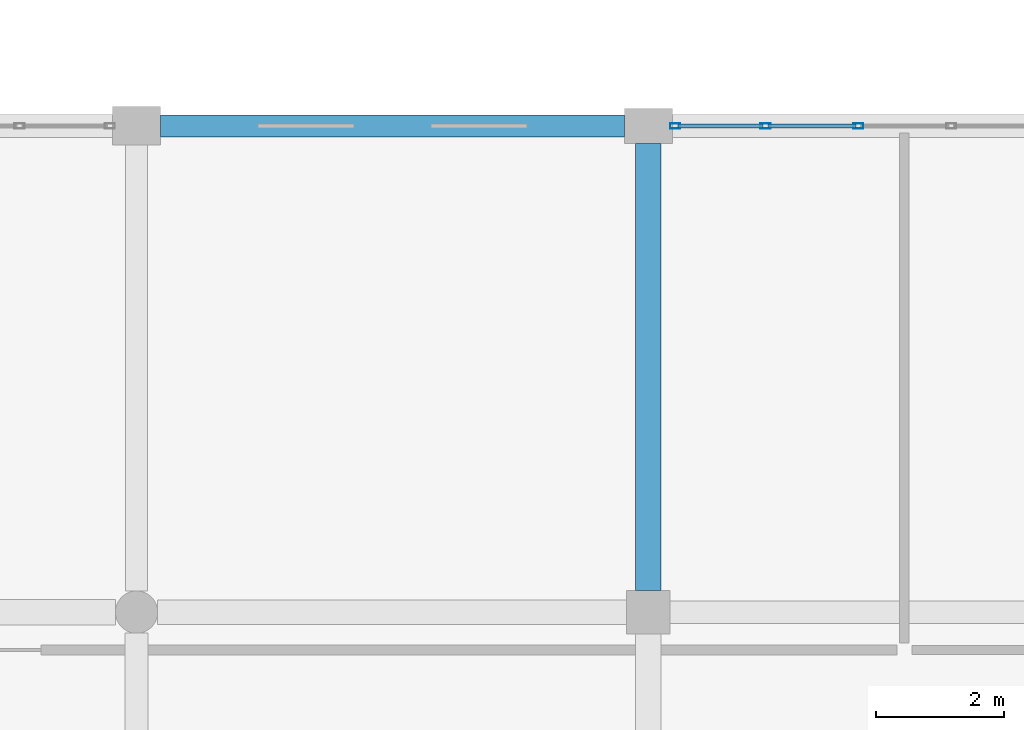
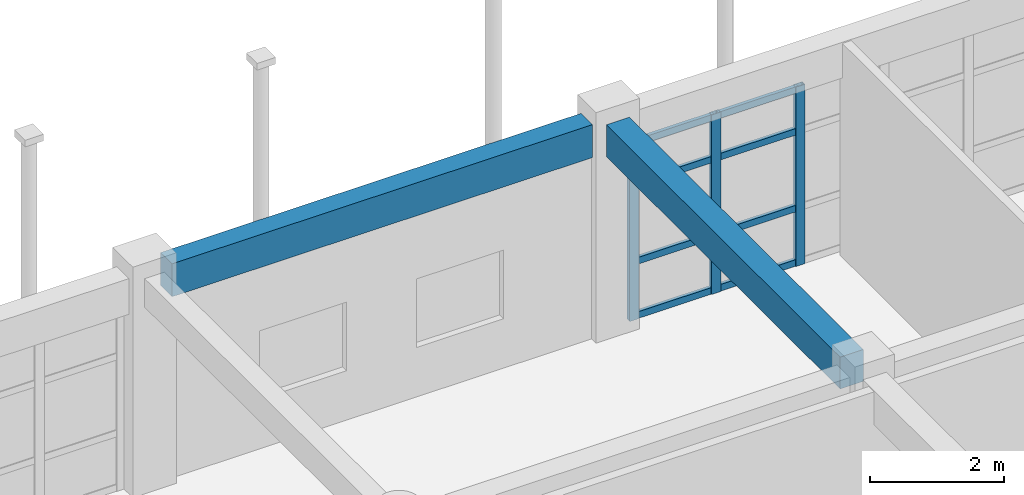
# One storey, part 73 of 195: 11 members, 2 beams, 1 element without a shape of its own.
"""IFC4 building model written with IfcOpenShell, lengths in metres."""

import ifcopenshell
import ifcopenshell.guid

model = None  # the IFC model being written
_history = None  # IfcOwnerHistory: only IFC2X3 demands one
_inside = {}  # id of a spatial element -> (the spatial element, [elements in it])
_under = {}  # id of a project, library or spatial element -> (it, [spatial elements below it])
_declared = {}  # id of a project -> (the project, [libraries it declares])
_typed = {}  # id of a type object -> (the type object, [elements of that type])
_made_of = {}  # id of a material, layer set ... -> (it, [elements and type objects made of it])


def new_model(schema):
    """Start an empty IFC model of exactly this schema.

    Asked for "IFC4X3", IfcOpenShell would pick the latest addendum, in which some entities
    have other attributes; the version numbers below select the first issue.
    IFC2X3 requires an IfcOwnerHistory on every rooted entity: one is made here for all.
    """
    global model, _history
    if schema == "IFC4X3":
        model = ifcopenshell.file(schema_version=(4, 3, 0, 0))
    else:
        model = ifcopenshell.file(schema=schema)
    _inside.clear()
    _under.clear()
    _declared.clear()
    _typed.clear()
    _made_of.clear()
    _history = None
    if model.schema == "IFC2X3":
        org = make("IfcOrganization", Name="unknown")
        user = make(
            "IfcPersonAndOrganization",
            ThePerson=make("IfcPerson", FamilyName="unknown"),
            TheOrganization=org,
        )
        app = make(
            "IfcApplication",
            ApplicationDeveloper=org,
            Version="unknown",
            ApplicationFullName="unknown",
            ApplicationIdentifier="unknown",
        )
        _history = make(
            "IfcOwnerHistory",
            OwningUser=user,
            OwningApplication=app,
            ChangeAction="ADDED",
            CreationDate=0,
        )
    return model


def make(cls, **values):
    """One entity of the class cls with the attributes given. An attribute that is None is left unset."""
    return model.create_entity(
        cls, **{name: value for name, value in values.items() if value is not None}
    )


def rooted(cls, **values):
    """An entity with a GlobalId (a new one), such as an element, a storey or a relation."""
    return make(cls, GlobalId=ifcopenshell.guid.new(), OwnerHistory=_history, **values)


def si_unit(unit_type, name, prefix=None):
    """IfcSIUnit, for example si_unit("LENGTHUNIT", "METRE", prefix="MILLI")."""
    return make("IfcSIUnit", UnitType=unit_type, Prefix=prefix, Name=name)


def assignment(units):
    """IfcUnitAssignment: the units of a project."""
    return None if units is None else make("IfcUnitAssignment", Units=units)


def point(xyz):
    """IfcCartesianPoint."""
    return None if xyz is None else make("IfcCartesianPoint", Coordinates=xyz)


def direction(xyz):
    """IfcDirection."""
    return None if xyz is None else make("IfcDirection", DirectionRatios=xyz)


def frame(location, z_axis=None, x_axis=None):
    """IfcAxis2Placement3D, a coordinate frame: its origin and axes. An axis left out is left unset."""
    return make(
        "IfcAxis2Placement3D",
        Location=point(location),
        Axis=direction(z_axis),
        RefDirection=direction(x_axis),
    )


def frame_2d(location, x_axis=None):
    """IfcAxis2Placement2D, a coordinate frame in the plane: its origin and x axis."""
    return make(
        "IfcAxis2Placement2D", Location=point(location), RefDirection=direction(x_axis)
    )


def origin():
    """The frame at (0, 0, 0) with its axes left unset."""
    return frame((0.0, 0.0, 0.0))


def origin_2d():
    """The frame at (0, 0) in the plane with its x axis left unset."""
    return frame_2d((0.0, 0.0))


def place(relative_to, where):
    """IfcLocalPlacement: puts the frame where relative to a parent placement (None: the world)."""
    return make(
        "IfcLocalPlacement", PlacementRelTo=relative_to, RelativePlacement=where
    )


def context(
    kind, dimensions, precision=None, world=None, true_north=None, identifier=None
):
    """IfcGeometricRepresentationContext, for example the 3D "Model" context."""
    return make(
        "IfcGeometricRepresentationContext",
        ContextIdentifier=identifier,
        ContextType=kind,
        CoordinateSpaceDimension=dimensions,
        Precision=precision,
        WorldCoordinateSystem=world,
        TrueNorth=true_north,
    )


def subcontext(parent, identifier, kind, view, scale=None):
    """IfcGeometricRepresentationSubContext, for example "Body" below "Model"."""
    return make(
        "IfcGeometricRepresentationSubContext",
        ContextIdentifier=identifier,
        ContextType=kind,
        ParentContext=parent,
        TargetScale=scale,
        TargetView=view,
    )


def project(units=None, contexts=None):
    """IfcProject with its units and contexts."""
    return rooted(
        "IfcProject",
        Name="project",
        RepresentationContexts=contexts,
        UnitsInContext=assignment(units),
    )


def spatial(cls, under=None, at=None, **own):
    """A site, building, storey or space (cls), placed at a placement, below another one or the project."""
    s = rooted(cls, ObjectPlacement=at, **own)
    if under is not None:
        _under.setdefault(under.id(), (under, []))[1].append(s)
    return s


def profile(cls, at=None, kind="AREA", **sizes):
    """A parametric profile (cls). Its sizes go by their IFC names, for example OverallWidth=200.0."""
    return make(cls, ProfileType=kind, Position=at, **sizes)


def rectangle(**sizes):
    """IfcRectangleProfileDef."""
    return profile("IfcRectangleProfileDef", **sizes)


def hollow_rectangle(**sizes):
    """IfcRectangleHollowProfileDef."""
    return profile("IfcRectangleHollowProfileDef", **sizes)


def extrude(swept, where, along, depth):
    """IfcExtrudedAreaSolid: the profile swept, set in the frame where, extruded along a direction by depth."""
    return make(
        "IfcExtrudedAreaSolid",
        SweptArea=swept,
        Position=where,
        ExtrudedDirection=direction(along),
        Depth=depth,
    )


def shape(context_of_items, identifier, shape_type, items):
    """IfcShapeRepresentation: the items that make up one representation, for example the "Body"."""
    return make(
        "IfcShapeRepresentation",
        ContextOfItems=context_of_items,
        RepresentationIdentifier=identifier,
        RepresentationType=shape_type,
        Items=items,
    )


def material(Name=None, Category=None):
    """IfcMaterial."""
    return make("IfcMaterial", Name=Name, Category=Category)


def material_profile(
    of_material, cross_section, Name=None, Category=None, Priority=None
):
    """IfcMaterialProfile: a cross section and its material."""
    return make(
        "IfcMaterialProfile",
        Name=Name,
        Material=of_material,
        Profile=cross_section,
        Priority=Priority,
        Category=Category,
    )


def profile_set(profiles, Name=None, composite=None):
    """IfcMaterialProfileSet."""
    return make(
        "IfcMaterialProfileSet",
        Name=Name,
        MaterialProfiles=profiles,
        CompositeProfile=composite,
    )


def made_of(thing, what):
    """Note that an element or type object is made of a material, layer set ...; save() writes the relation."""
    if what is not None:
        _made_of.setdefault(what.id(), (what, []))[1].append(thing)
    return thing


def type_object(cls, material=None, **own):
    """A type object (cls), such as IfcWallType, which elements share."""
    return made_of(rooted(cls, **own), material)


def element(
    cls,
    number,
    at=None,
    inside=None,
    cuts=None,
    type_object=None,
    material=None,
    context=None,
    identifier="Body",
    shape_type=None,
    held_by="IfcProductDefinitionShape",
    body=None,
    shapes=None,
    **own,
):
    """One element of the class cls, such as IfcWall. Its Tag is "e" and its number.

    at: its placement. inside: the storey or other place that contains it. cuts: it is an
    opening in that element (IfcRelVoidsElement). A single representation is given by context,
    identifier, shape_type and body (its items); several are given by shapes. held_by: the class
    of the entity that holds the representations. save() writes the other relations.
    """
    e = rooted(cls, Tag="e%d" % number, ObjectPlacement=at, **own)
    if body is not None:
        shapes = [shape(context, identifier, shape_type, body)]
    if shapes is not None:
        e.Representation = make(held_by, Representations=shapes)
    if inside is not None:
        _inside.setdefault(inside.id(), (inside, []))[1].append(e)
    if cuts is not None:
        rooted(
            "IfcRelVoidsElement", RelatingBuildingElement=cuts, RelatedOpeningElement=e
        )
    if type_object is not None:
        _typed.setdefault(type_object.id(), (type_object, []))[1].append(e)
    return made_of(e, material)


def aggregate(whole, parts):
    """IfcRelAggregates: a whole, such as a stair, and the parts it consists of."""
    return rooted("IfcRelAggregates", RelatingObject=whole, RelatedObjects=parts)


def save(model, path):
    """Write the relations noted so far, then the file.

    IfcRelAggregates (storeys below a building ...), IfcRelContainedInSpatialStructure (elements
    in a storey), IfcRelDefinesByType, IfcRelAssociatesMaterial and IfcRelDeclares: one each for
    every whole, place, type object, material and project.
    """
    for whole, parts in _under.values():
        aggregate(whole, parts)
    for where, things in _inside.values():
        rooted(
            "IfcRelContainedInSpatialStructure",
            RelatedElements=things,
            RelatingStructure=where,
        )
    for kind, things in _typed.values():
        rooted("IfcRelDefinesByType", RelatedObjects=things, RelatingType=kind)
    for what, things in _made_of.values():
        rooted("IfcRelAssociatesMaterial", RelatedObjects=things, RelatingMaterial=what)
    for by, libraries in _declared.values():
        rooted("IfcRelDeclares", RelatingContext=by, RelatedDefinitions=libraries)
    model.write(path)


model = new_model("IFC4")

# Units and contexts
model_context = context("Model", 3, precision=1e-05, world=origin(), true_north=direction((0.0, 1.0)))
body_context = subcontext(model_context, "Body", "Model", "MODEL_VIEW")
ifc_project = project(units=[si_unit("LENGTHUNIT", "METRE"), si_unit("AREAUNIT", "SQUARE_METRE"), si_unit("VOLUMEUNIT", "CUBIC_METRE"), si_unit("PLANEANGLEUNIT", "RADIAN"), si_unit("MASSUNIT", "GRAM", prefix="KILO")], contexts=[model_context])

# Site, building, storey
site_placement = place(None, origin())
site = spatial("IfcSite", under=ifc_project, at=site_placement, CompositionType="ELEMENT")
building_placement = place(site_placement, origin())
building = spatial("IfcBuilding", under=site, at=building_placement, Name="Kharva Crest Polytechnic", CompositionType="ELEMENT")
storey_placement = place(building_placement, frame((0.0, 0.0, 9.0)))
storey = spatial("IfcBuildingStorey", under=building, at=storey_placement, Name="L02", CompositionType="ELEMENT", Elevation=9.0)

# Beam
ifc_material_1 = material(Name="Concrete C35/45", Category="concrete")
ifc_material_profile_1 = material_profile(ifc_material_1, rectangle(XDim=0.39990234375, YDim=0.580078125, at=origin_2d()), Name="RECT 400 X 580")
ifc_profile_set_1 = profile_set([ifc_material_profile_1], Name="Concrete C35/45")
beam_type_1 = type_object("IfcBeamType", Name="BM-RC-400X580", PredefinedType="BEAM", material=ifc_profile_set_1)
beam_1_placement = place(storey_placement, frame((80.0, 15.5400390625, 3.6298828125), z_axis=(0.0, 1.0, 0.0), x_axis=(-1.0, 0.0, 0.0)))
element("IfcBeam", 1, at=beam_1_placement, inside=storey, type_object=beam_type_1, Name="L02 Girder 11/C-D", PredefinedType="BEAM", context=body_context, shape_type="SweptSolid", body=[
    extrude(rectangle(XDim=0.39990234375, YDim=0.580078125, at=origin_2d()), origin(), (0.0, 0.0, 1.0), 6.98486328125),
])

# Curtain wall, members
ifc_material_2 = material(Name="Tempered insulated glass", Category="glass")
curtain_wall_type = type_object("IfcCurtainWallType", Name="CW-SYS-COURT", PredefinedType="USERDEFINED", material=ifc_material_2)
curtain_wall_placement = place(storey_placement, origin())
curtain_wall = element("IfcCurtainWall", 2, at=curtain_wall_placement, inside=storey, type_object=curtain_wall_type, Name="L02 Glazed Curtain Wall CW-083", ObjectType="CURTAIN WALL", PredefinedType="USERDEFINED")
ifc_material_3 = material(Name="Steel S355", Category="steel")
ifc_material_profile_2 = material_profile(ifc_material_3, hollow_rectangle(XDim=0.080078125, YDim=0.159912109375, WallThickness=0.0048828125, at=origin_2d()), Name="RHS 160X80X5.0")
ifc_profile_set_2 = profile_set([ifc_material_profile_2], Name="Steel S355")
member_type_1 = type_object("IfcMemberType", Name="CWM-RHS160X80", PredefinedType="MULLION", material=ifc_profile_set_2)
member_1_placement = place(storey_placement, frame((83.281982421875, 22.800048828125, 0.0), z_axis=(0.0, 0.0, 1.0), x_axis=(0.0, -1.0, 0.0)))
member_1 = element("IfcMember", 3, at=member_1_placement, type_object=member_type_1, Name="CW-083 mullion 4", PredefinedType="MULLION", context=body_context, shape_type="SweptSolid", body=[
    extrude(hollow_rectangle(XDim=0.080078125, YDim=0.159912109375, WallThickness=0.0048828125, at=origin_2d()), origin(), (0.0, 0.0, 1.0), 3.27001953125),
])
member_2_placement = place(storey_placement, frame((81.8310546875, 22.800048828125, 0.0), z_axis=(0.0, 0.0, 1.0), x_axis=(0.0, -1.0, 0.0)))
member_2 = element("IfcMember", 4, at=member_2_placement, type_object=member_type_1, Name="CW-083 mullion 5", PredefinedType="MULLION", context=body_context, shape_type="SweptSolid", body=[
    extrude(hollow_rectangle(XDim=0.080078125, YDim=0.159912109375, WallThickness=0.0048828125, at=origin_2d()), origin(), (0.0, 0.0, 1.0), 3.27001953125),
])
member_3_placement = place(storey_placement, frame((80.419921875, 22.800048828125, 0.0), z_axis=(0.0, 0.0, 1.0), x_axis=(0.0, -1.0, 0.0)))
member_3 = element("IfcMember", 5, at=member_3_placement, type_object=member_type_1, Name="CW-083 mullion 6", PredefinedType="MULLION", context=body_context, shape_type="SweptSolid", body=[
    extrude(hollow_rectangle(XDim=0.080078125, YDim=0.159912109375, WallThickness=0.0048828125, at=origin_2d()), origin(), (0.0, 0.0, 1.0), 3.27001953125),
])
ifc_material_profile_3 = material_profile(ifc_material_3, hollow_rectangle(XDim=0.06005859375, YDim=0.1201171875, WallThickness=0.00390625, at=origin_2d()), Name="RHS 120X60X4.0")
ifc_profile_set_3 = profile_set([ifc_material_profile_3], Name="Steel S355")
member_type_2 = type_object("IfcMemberType", Name="CWT-RHS120X60", PredefinedType="USERDEFINED", material=ifc_profile_set_3)
member_4_placement = place(storey_placement, frame((83.241943359375, 22.800048828125, 0.06005859375), z_axis=(-1.0, 0.0, 0.0), x_axis=(0.0, -1.0, 0.0)))
member_4 = element("IfcMember", 6, at=member_4_placement, type_object=member_type_2, Name="CW-083 transom 4.1", ObjectType="TRANSOM", PredefinedType="USERDEFINED", context=body_context, shape_type="SweptSolid", body=[
    extrude(hollow_rectangle(XDim=0.06005859375, YDim=0.1201171875, WallThickness=0.00390625, at=origin_2d()), origin(), (0.0, 0.0, 1.0), 1.370849609375),
])
member_5_placement = place(storey_placement, frame((83.241943359375, 22.800048828125, 1.050048828125), z_axis=(-1.0, 0.0, 0.0), x_axis=(0.0, -1.0, 0.0)))
member_5 = element("IfcMember", 7, at=member_5_placement, type_object=member_type_2, Name="CW-083 transom 4.2", ObjectType="TRANSOM", PredefinedType="USERDEFINED", context=body_context, shape_type="SweptSolid", body=[
    extrude(hollow_rectangle(XDim=0.06005859375, YDim=0.1201171875, WallThickness=0.00390625, at=origin_2d()), origin(), (0.0, 0.0, 1.0), 1.370849609375),
])
member_6_placement = place(storey_placement, frame((83.241943359375, 22.800048828125, 2.449951171875), z_axis=(-1.0, 0.0, 0.0), x_axis=(0.0, -1.0, 0.0)))
member_6 = element("IfcMember", 8, at=member_6_placement, type_object=member_type_2, Name="CW-083 transom 4.3", ObjectType="TRANSOM", PredefinedType="USERDEFINED", context=body_context, shape_type="SweptSolid", body=[
    extrude(hollow_rectangle(XDim=0.06005859375, YDim=0.1201171875, WallThickness=0.00390625, at=origin_2d()), origin(), (0.0, 0.0, 1.0), 1.370849609375),
])
member_7_placement = place(storey_placement, frame((83.241943359375, 22.800048828125, 3.2099609375), z_axis=(-1.0, 0.0, 0.0), x_axis=(0.0, -1.0, 0.0)))
member_7 = element("IfcMember", 9, at=member_7_placement, type_object=member_type_2, Name="CW-083 transom 4.4", ObjectType="TRANSOM", PredefinedType="USERDEFINED", context=body_context, shape_type="SweptSolid", body=[
    extrude(hollow_rectangle(XDim=0.06005859375, YDim=0.1201171875, WallThickness=0.00390625, at=origin_2d()), origin(), (0.0, 0.0, 1.0), 1.370849609375),
])
member_8_placement = place(storey_placement, frame((81.791015625, 22.800048828125, 0.06005859375), z_axis=(-1.0, 0.0, 0.0), x_axis=(0.0, -1.0, 0.0)))
member_8 = element("IfcMember", 10, at=member_8_placement, type_object=member_type_2, Name="CW-083 transom 5.1", ObjectType="TRANSOM", PredefinedType="USERDEFINED", context=body_context, shape_type="SweptSolid", body=[
    extrude(hollow_rectangle(XDim=0.06005859375, YDim=0.1201171875, WallThickness=0.00390625, at=origin_2d()), origin(), (0.0, 0.0, 1.0), 1.3310546875),
])
member_9_placement = place(storey_placement, frame((81.791015625, 22.800048828125, 1.050048828125), z_axis=(-1.0, 0.0, 0.0), x_axis=(0.0, -1.0, 0.0)))
member_9 = element("IfcMember", 11, at=member_9_placement, type_object=member_type_2, Name="CW-083 transom 5.2", ObjectType="TRANSOM", PredefinedType="USERDEFINED", context=body_context, shape_type="SweptSolid", body=[
    extrude(hollow_rectangle(XDim=0.06005859375, YDim=0.1201171875, WallThickness=0.00390625, at=origin_2d()), origin(), (0.0, 0.0, 1.0), 1.3310546875),
])
member_10_placement = place(storey_placement, frame((81.791015625, 22.800048828125, 2.449951171875), z_axis=(-1.0, 0.0, 0.0), x_axis=(0.0, -1.0, 0.0)))
member_10 = element("IfcMember", 12, at=member_10_placement, type_object=member_type_2, Name="CW-083 transom 5.3", ObjectType="TRANSOM", PredefinedType="USERDEFINED", context=body_context, shape_type="SweptSolid", body=[
    extrude(hollow_rectangle(XDim=0.06005859375, YDim=0.1201171875, WallThickness=0.00390625, at=origin_2d()), origin(), (0.0, 0.0, 1.0), 1.3310546875),
])
member_11_placement = place(storey_placement, frame((81.791015625, 22.800048828125, 3.2099609375), z_axis=(-1.0, 0.0, 0.0), x_axis=(0.0, -1.0, 0.0)))
member_11 = element("IfcMember", 13, at=member_11_placement, type_object=member_type_2, Name="CW-083 transom 5.4", ObjectType="TRANSOM", PredefinedType="USERDEFINED", context=body_context, shape_type="SweptSolid", body=[
    extrude(hollow_rectangle(XDim=0.06005859375, YDim=0.1201171875, WallThickness=0.00390625, at=origin_2d()), origin(), (0.0, 0.0, 1.0), 1.3310546875),
])
aggregate(curtain_wall, [member_1, member_2, member_3, member_4, member_5, member_6, member_7, member_8, member_9, member_10, member_11])

# Beam
ifc_material_profile_4 = material_profile(ifc_material_1, rectangle(XDim=0.340087890625, YDim=0.60009765625, at=origin_2d()), Name="RECT 340 X 600")
ifc_profile_set_4 = profile_set([ifc_material_profile_4], Name="Concrete C35/45")
beam_type_2 = type_object("IfcBeamType", Name="SP-RC-340X600", PredefinedType="SPANDREL", material=ifc_profile_set_4)
beam_2_placement = place(storey_placement, frame((72.375, 22.800048828125, 3.6201171875), z_axis=(1.0, 0.0, 0.0), x_axis=(0.0, 1.0, 0.0)))
element("IfcBeam", 14, at=beam_2_placement, inside=storey, type_object=beam_type_2, Name="L02 Beam D/10-11", PredefinedType="SPANDREL", context=body_context, shape_type="SweptSolid", body=[
    extrude(rectangle(XDim=0.340087890625, YDim=0.60009765625, at=origin_2d()), origin(), (0.0, 0.0, 1.0), 7.25),
])

save(model, "model.ifc")
